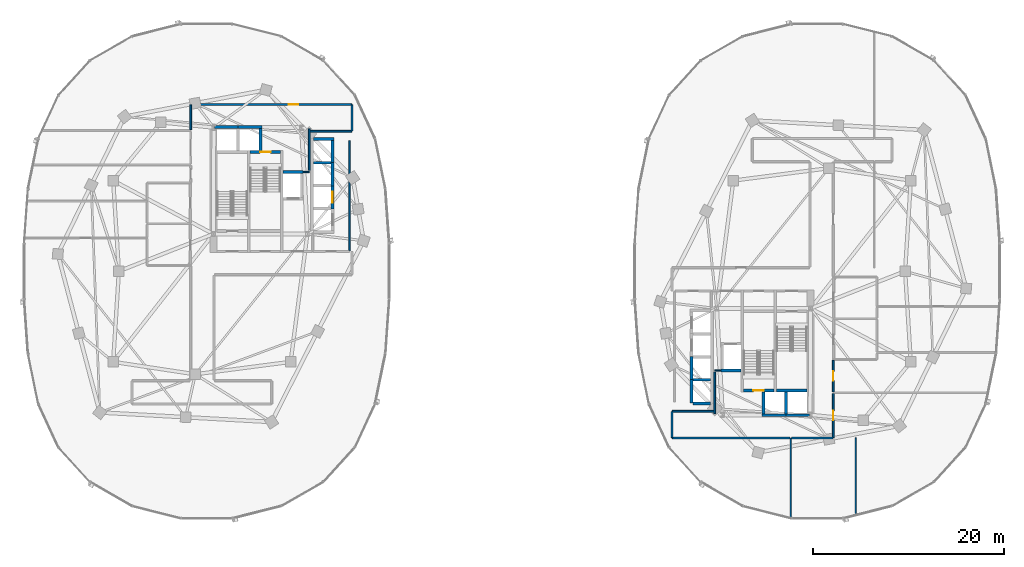
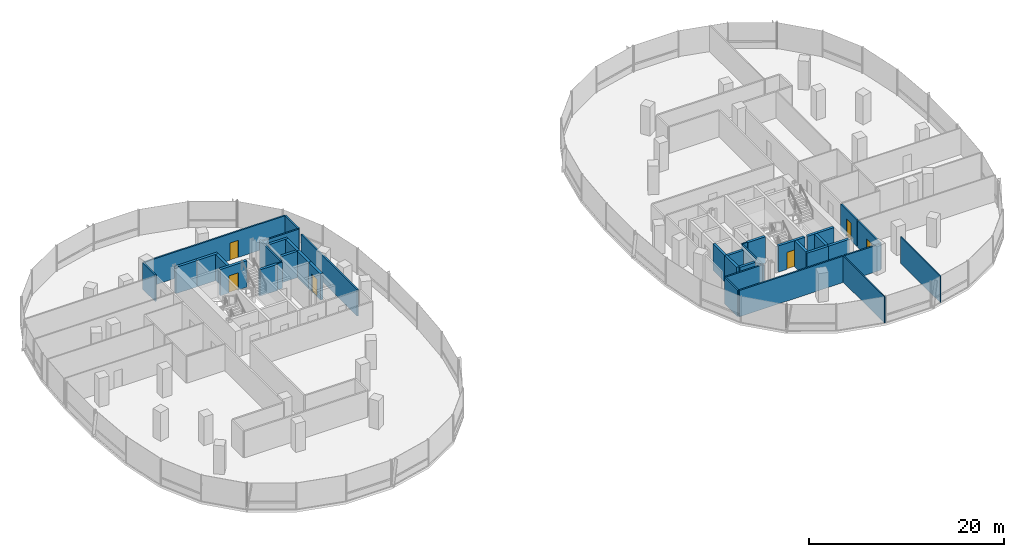
# One storey, part 12 of 21: 38 walls, 6 doors, 6 openings.
"""IFC4 building model written with IfcOpenShell, lengths in metres."""

from ifc_helpers import new_model, si_unit, direction, frame, frame_2d, origin, place, context, subcontext, project, spatial, rectangle, extrude, material, layer, layer_set, type_object, element, fill, save


model = new_model("IFC4")

# Units and contexts
model_context = context("Model", 3, precision=1e-05, world=origin(), true_north=direction((0.0, 1.0)))
body_context = subcontext(model_context, "Body", "Model", "MODEL_VIEW")
ifc_project = project(units=[si_unit("LENGTHUNIT", "METRE"), si_unit("AREAUNIT", "SQUARE_METRE"), si_unit("VOLUMEUNIT", "CUBIC_METRE"), si_unit("PLANEANGLEUNIT", "RADIAN"), si_unit("MASSUNIT", "GRAM", prefix="KILO"), si_unit("THERMODYNAMICTEMPERATUREUNIT", "KELVIN"), si_unit("POWERUNIT", "WATT")], contexts=[model_context])

# Site, building, storey
site_placement = place(None, origin())
site = spatial("IfcSite", under=ifc_project, at=site_placement, CompositionType="ELEMENT")
building_placement = place(site_placement, origin())
building = spatial("IfcBuilding", under=site, at=building_placement, Name="Cundina Bronze Exchange", CompositionType="ELEMENT")
storey_placement = place(building_placement, frame((0.0, 0.0, 85.39990234375)))
storey = spatial("IfcBuildingStorey", under=building, at=storey_placement, Name="L21", CompositionType="ELEMENT", Elevation=85.39990234375)

# Walls
ifc_material_1 = material(Name="Gypsum Fireboard Partition EI120")
ifc_layer_1 = layer(ifc_material_1, 0.179931640625, Name="Gypsum Fireboard Partition EI120")
ifc_layer_set_1 = layer_set([ifc_layer_1], Name="Gypsum Fireboard Partition EI120")
wall_type_1 = type_object("IfcWallType", Name="WL-COR-180", PredefinedType="PARTITIONING", material=ifc_layer_set_1)
wall_1_placement = place(storey_placement, frame((-17.02001953125, 2.169921875, 0.0), z_axis=(0.0, 0.0, 1.0), x_axis=(0.0, 1.0, 0.0)))
element("IfcWall", 1, at=wall_1_placement, inside=storey, type_object=wall_type_1, Name="L21 Interior Partition 001", PredefinedType="PARTITIONING", context=body_context, shape_type="SweptSolid", body=[
    extrude(rectangle(XDim=11.510009765625, YDim=0.179931640625, at=frame_2d((5.7548828125, 0.0))), origin(), (0.0, 0.0, 1.0), 3.300048828125),
])
wall_2_placement = place(storey_placement, frame((-21.25, 10.570068359375, 0.0), z_axis=(0.0, 0.0, 1.0), x_axis=(0.0, 1.0, 0.0)))
element("IfcWall", 2, at=wall_2_placement, inside=storey, type_object=wall_type_1, Name="L21 Interior Partition 004", PredefinedType="PARTITIONING", context=body_context, shape_type="SweptSolid", body=[
    extrude(rectangle(XDim=4.35986328125, YDim=0.179931640625, at=frame_2d((2.179931640625, 0.0))), origin(), (0.0, 0.0, 1.0), 3.300048828125),
])

# Wall, opening, door
wall_3_placement = place(storey_placement, frame((-16.821533203125, 17.469970703125, 0.0), z_axis=(0.0, 0.0, 1.0), x_axis=(-1.0, 0.0, 0.0)))
wall_3 = element("IfcWall", 3, at=wall_3_placement, inside=storey, type_object=wall_type_1, Name="L21 Interior Partition 018", PredefinedType="PARTITIONING", context=body_context, shape_type="SweptSolid", body=[
    extrude(rectangle(XDim=16.806884765625, YDim=0.179931640625, at=frame_2d((8.4033203125, 0.0))), origin(), (0.0, 0.0, 1.0), 3.300048828125),
])
opening_1_placement = place(wall_3_placement, frame((5.568603515625, 0.0, 0.0)))
opening_1 = element("IfcOpeningElement", 4, at=opening_1_placement, cuts=wall_3, Name="Opening DO-01", PredefinedType="OPENING", context=body_context, shape_type="SweptSolid", body=[
    extrude(rectangle(XDim=1.0, YDim=2.14990234375, at=frame_2d((0.5, 1.074951171875))), frame((0.0, 0.099853515625, 0.0), z_axis=(0.0, -1.0, 0.0), x_axis=(1.0, 0.0, 0.0)), (0.0, 0.0, 1.0), 0.199951171875),
])
ifc_material_2 = material(Name="Solid Andean Oak Timber Grade A", Category="wood")
door_type_1 = type_object("IfcDoorType", Name="DR-OFF-1000", OperationType="NOTDEFINED", PredefinedType="DOOR", material=ifc_material_2)
door_1_placement = place(opening_1_placement, origin())
door_1 = element("IfcDoor", 5, at=door_1_placement, inside=storey, type_object=door_type_1, Name="L21 Interior Door 018", OperationType="SINGLE_SWING_RIGHT", OverallHeight=2.14990234375, OverallWidth=1.0, PredefinedType="DOOR", context=body_context, shape_type="SweptSolid", body=[
    extrude(rectangle(XDim=1.0, YDim=2.14990234375, at=frame_2d((0.5, 1.074951171875))), frame((0.0, 0.02490234375, 0.0), z_axis=(0.0, -1.0, 0.0), x_axis=(1.0, 0.0, 0.0)), (0.0, 0.0, 1.0), 0.050048828125),
])
fill(opening_1, door_1)

# Walls
wall_4_placement = place(storey_placement, frame((-21.178466796875, 14.679931640625, 0.0), z_axis=(0.0, 0.0, 1.0), x_axis=(1.0, 0.0, 0.0)))
element("IfcWall", 6, at=wall_4_placement, inside=storey, type_object=wall_type_1, Name="L21 Interior Partition 025", PredefinedType="PARTITIONING", context=body_context, shape_type="SweptSolid", body=[
    extrude(rectangle(XDim=4.35693359375, YDim=0.179931640625, at=frame_2d((2.178466796875, 0.0))), origin(), (0.0, 0.0, 1.0), 3.300048828125),
])
wall_5_placement = place(storey_placement, frame((-16.780029296875, 14.721435546875, 0.0), z_axis=(0.0, 0.0, 1.0), x_axis=(0.0, 1.0, 0.0)))
element("IfcWall", 7, at=wall_5_placement, inside=storey, type_object=wall_type_1, Name="L21 Interior Partition 026", PredefinedType="PARTITIONING", context=body_context, shape_type="SweptSolid", body=[
    extrude(rectangle(XDim=2.70703125, YDim=0.179931640625, at=frame_2d((1.353515625, 0.0))), origin(), (0.0, 0.0, 1.0), 3.300048828125),
])
wall_6_placement = place(storey_placement, frame((-33.669921875, 17.428466796875, 0.0), z_axis=(0.0, 0.0, 1.0), x_axis=(0.0, -1.0, 0.0)))
element("IfcWall", 8, at=wall_6_placement, inside=storey, type_object=wall_type_1, Name="L21 Interior Partition 027", PredefinedType="PARTITIONING", context=body_context, shape_type="SweptSolid", body=[
    extrude(rectangle(XDim=2.598388671875, YDim=0.179931640625, at=frame_2d((1.29931640625, 0.0))), origin(), (0.0, 0.0, 1.0), 3.300048828125),
])
wall_7_placement = place(storey_placement, frame((21.25, -14.929931640625, 0.0), z_axis=(0.0, 0.0, 1.0), x_axis=(0.0, 1.0, 0.0)))
element("IfcWall", 9, at=wall_7_placement, inside=storey, type_object=wall_type_1, Name="L21 Interior Partition 037", PredefinedType="PARTITIONING", context=body_context, shape_type="SweptSolid", body=[
    extrude(rectangle(XDim=4.35986328125, YDim=0.179931640625, at=frame_2d((2.179931640625, 0.0))), origin(), (0.0, 0.0, 1.0), 3.300048828125),
])

# Wall, opening, door
wall_8_placement = place(storey_placement, frame((33.669921875, -17.428466796875, 0.0), z_axis=(0.0, 0.0, 1.0), x_axis=(0.0, 1.0, 0.0)))
wall_8 = element("IfcWall", 10, at=wall_8_placement, inside=storey, type_object=wall_type_1, Name="L21 Interior Partition 054", PredefinedType="PARTITIONING", context=body_context, shape_type="SweptSolid", body=[
    extrude(rectangle(XDim=4.598388671875, YDim=0.179931640625, at=frame_2d((2.29931640625, 0.0))), origin(), (0.0, 0.0, 1.0), 3.300048828125),
])
opening_2_placement = place(wall_8_placement, frame((1.79931640625, 0.0, 0.0)))
opening_2 = element("IfcOpeningElement", 11, at=opening_2_placement, cuts=wall_8, Name="Opening DO-01", PredefinedType="OPENING", context=body_context, shape_type="SweptSolid", body=[
    extrude(rectangle(XDim=1.0, YDim=2.14990234375, at=frame_2d((0.5, 1.074951171875))), frame((0.0, 0.099853515625, 0.0), z_axis=(0.0, -1.0, 0.0), x_axis=(1.0, 0.0, 0.0)), (0.0, 0.0, 1.0), 0.199951171875),
])
door_2_placement = place(opening_2_placement, origin())
door_2 = element("IfcDoor", 12, at=door_2_placement, inside=storey, type_object=door_type_1, Name="L21 Interior Door 054", OperationType="SINGLE_SWING_LEFT", OverallHeight=2.14990234375, OverallWidth=1.0, PredefinedType="DOOR", context=body_context, shape_type="SweptSolid", body=[
    extrude(rectangle(XDim=1.0, YDim=2.14990234375, at=frame_2d((0.5, 1.074951171875))), frame((0.0, 0.02490234375, 0.0), z_axis=(0.0, -1.0, 0.0), x_axis=(1.0, 0.0, 0.0)), (0.0, 0.0, 1.0), 0.050048828125),
])
fill(opening_2, door_2)

# Wall
wall_9_placement = place(storey_placement, frame((29.31005859375, -17.469970703125, 0.0), z_axis=(0.0, 0.0, 1.0), x_axis=(1.0, 0.0, 0.0)))
element("IfcWall", 13, at=wall_9_placement, inside=storey, type_object=wall_type_1, Name="L21 Interior Partition 055", PredefinedType="PARTITIONING", context=body_context, shape_type="SweptSolid", body=[
    extrude(rectangle(XDim=4.318359375, YDim=0.179931640625, at=frame_2d((2.1591796875, 0.0))), origin(), (0.0, 0.0, 1.0), 3.300048828125),
])

# Wall, opening, door
wall_10_placement = place(storey_placement, frame((33.669921875, -12.64990234375, 0.0), z_axis=(0.0, 0.0, 1.0), x_axis=(0.0, 1.0, 0.0)))
wall_10 = element("IfcWall", 14, at=wall_10_placement, inside=storey, type_object=wall_type_1, Name="L21 Interior Partition 056", PredefinedType="PARTITIONING", context=body_context, shape_type="SweptSolid", body=[
    extrude(rectangle(XDim=3.298583984375, YDim=0.179931640625, at=frame_2d((1.6494140625, 0.0))), origin(), (0.0, 0.0, 1.0), 3.300048828125),
])
opening_3_placement = place(wall_10_placement, frame((1.1494140625, 0.0, 0.0)))
opening_3 = element("IfcOpeningElement", 15, at=opening_3_placement, cuts=wall_10, Name="Opening DO-01", PredefinedType="OPENING", context=body_context, shape_type="SweptSolid", body=[
    extrude(rectangle(XDim=1.0, YDim=2.14990234375, at=frame_2d((0.5, 1.074951171875))), frame((0.0, 0.099853515625, 0.0), z_axis=(0.0, -1.0, 0.0), x_axis=(1.0, 0.0, 0.0)), (0.0, 0.0, 1.0), 0.199951171875),
])
door_3_placement = place(opening_3_placement, origin())
door_3 = element("IfcDoor", 16, at=door_3_placement, inside=storey, type_object=door_type_1, Name="L21 Interior Door 056", OperationType="SINGLE_SWING_LEFT", OverallHeight=2.14990234375, OverallWidth=1.0, PredefinedType="DOOR", context=body_context, shape_type="SweptSolid", body=[
    extrude(rectangle(XDim=1.0, YDim=2.14990234375, at=frame_2d((0.5, 1.074951171875))), frame((0.0, 0.02490234375, 0.0), z_axis=(0.0, -1.0, 0.0), x_axis=(1.0, 0.0, 0.0)), (0.0, 0.0, 1.0), 0.050048828125),
])
fill(opening_3, door_3)

# Walls
wall_11_placement = place(storey_placement, frame((16.821533203125, -17.469970703125, 0.0), z_axis=(0.0, 0.0, 1.0), x_axis=(1.0, 0.0, 0.0)))
element("IfcWall", 17, at=wall_11_placement, inside=storey, type_object=wall_type_1, Name="L21 Interior Partition 059", PredefinedType="PARTITIONING", context=body_context, shape_type="SweptSolid", body=[
    extrude(rectangle(XDim=12.308349609375, YDim=0.179931640625, at=frame_2d((6.154296875, 0.0))), origin(), (0.0, 0.0, 1.0), 3.300048828125),
])
wall_12_placement = place(storey_placement, frame((21.178466796875, -14.679931640625, 0.0), z_axis=(0.0, 0.0, 1.0), x_axis=(-1.0, 0.0, 0.0)))
element("IfcWall", 18, at=wall_12_placement, inside=storey, type_object=wall_type_1, Name="L21 Interior Partition 062", PredefinedType="PARTITIONING", context=body_context, shape_type="SweptSolid", body=[
    extrude(rectangle(XDim=4.35693359375, YDim=0.179931640625, at=frame_2d((2.178466796875, 0.0))), origin(), (0.0, 0.0, 1.0), 3.300048828125),
])
wall_13_placement = place(storey_placement, frame((16.780029296875, -14.721435546875, 0.0), z_axis=(0.0, 0.0, 1.0), x_axis=(0.0, -1.0, 0.0)))
element("IfcWall", 19, at=wall_13_placement, inside=storey, type_object=wall_type_1, Name="L21 Interior Partition 063", PredefinedType="PARTITIONING", context=body_context, shape_type="SweptSolid", body=[
    extrude(rectangle(XDim=2.70703125, YDim=0.179931640625, at=frame_2d((1.353515625, 0.0))), origin(), (0.0, 0.0, 1.0), 3.300048828125),
])
ifc_material_3 = material(Name="Gypsum Acoustic Partition EI60")
ifc_layer_2 = layer(ifc_material_3, 0.125, Name="Gypsum Acoustic Partition EI60")
ifc_layer_set_2 = layer_set([ifc_layer_2], Name="Gypsum Acoustic Partition EI60")
wall_type_2 = type_object("IfcWallType", Name="WL-OFF-125", PredefinedType="PARTITIONING", material=ifc_layer_set_2)
wall_14_placement = place(storey_placement, frame((29.219970703125, -25.965576171875, 0.0), z_axis=(0.0, 0.0, 1.0), x_axis=(0.0, 1.0, 0.0)))
element("IfcWall", 20, at=wall_14_placement, inside=storey, type_object=wall_type_2, Name="L21 Interior Partition 052", PredefinedType="PARTITIONING", context=body_context, shape_type="SweptSolid", body=[
    extrude(rectangle(XDim=8.465576171875, YDim=0.125, at=frame_2d((4.23291015625, 0.0))), origin(), (0.0, 0.0, 1.0), 3.300048828125),
])
wall_15_placement = place(storey_placement, frame((36.02001953125, -25.652099609375, 0.0), z_axis=(0.0, 0.0, 1.0), x_axis=(0.0, 1.0, 0.0)))
element("IfcWall", 21, at=wall_15_placement, inside=storey, type_object=wall_type_2, Name="L21 Interior Partition 053", PredefinedType="PARTITIONING", context=body_context, shape_type="SweptSolid", body=[
    extrude(rectangle(XDim=8.18212890625, YDim=0.125, at=frame_2d((4.091064453125, 0.0))), origin(), (0.0, 0.0, 1.0), 3.300048828125),
])

# Wall, opening, door
ifc_material_4 = material(Name="Concrete C50/60", Category="concrete")
ifc_layer_3 = layer(ifc_material_4, 0.300048828125, Name="Concrete C50/60", Category="concrete")
ifc_layer_set_3 = layer_set([ifc_layer_3], Name="Concrete C50/60")
wall_type_3 = type_object("IfcWallType", Name="WL-SHFT-300", PredefinedType="SHEAR", material=ifc_layer_set_3)
wall_16_placement = place(storey_placement, frame((-27.43994140625, 12.5, 0.0), z_axis=(0.0, 0.0, 1.0), x_axis=(1.0, 0.0, 0.0)))
wall_16 = element("IfcWall", 22, at=wall_16_placement, inside=storey, type_object=wall_type_3, Name="L21 Stair W2 Landing Wall", PredefinedType="SHEAR", context=body_context, shape_type="SweptSolid", body=[
    extrude(rectangle(XDim=3.159912109375, YDim=0.300048828125, at=frame_2d((1.580078125, 0.0))), origin(), (0.0, 0.0, 1.0), 3.300048828125),
])
opening_4_placement = place(wall_16_placement, frame((1.030029296875, 0.0, 0.0)))
opening_4 = element("IfcOpeningElement", 23, at=opening_4_placement, cuts=wall_16, Name="Opening DS-01", PredefinedType="OPENING", context=body_context, shape_type="SweptSolid", body=[
    extrude(rectangle(XDim=1.10009765625, YDim=2.14990234375, at=frame_2d((0.550048828125, 1.074951171875))), frame((0.0, 0.159912109375, 0.0), z_axis=(0.0, -1.0, 0.0), x_axis=(1.0, 0.0, 0.0)), (0.0, 0.0, 1.0), 0.320068359375),
])
ifc_material_5 = material(Name="Steel ASTM A36 Painted", Category="steel")
door_type_2 = type_object("IfcDoorType", Name="DR-STR-1100", OperationType="NOTDEFINED", PredefinedType="DOOR", material=ifc_material_5)
door_4_placement = place(opening_4_placement, origin())
door_4 = element("IfcDoor", 24, at=door_4_placement, inside=storey, type_object=door_type_2, Name="L21 Smokeproof Stair W2 Door", OperationType="SINGLE_SWING_LEFT", OverallHeight=2.14990234375, OverallWidth=1.10009765625, PredefinedType="DOOR", context=body_context, shape_type="SweptSolid", body=[
    extrude(rectangle(XDim=1.10009765625, YDim=2.14990234375, at=frame_2d((0.550048828125, 1.074951171875))), frame((0.0, 0.02490234375, 0.0), z_axis=(0.0, -1.0, 0.0), x_axis=(1.0, 0.0, 0.0)), (0.0, 0.0, 1.0), 0.050048828125),
])
fill(opening_4, door_4)

# Walls
wall_17_placement = place(storey_placement, frame((-23.97998046875, 10.39990234375, 0.0), z_axis=(0.0, 0.0, 1.0), x_axis=(1.0, 0.0, 0.0)))
element("IfcWall", 25, at=wall_17_placement, inside=storey, type_object=wall_type_3, Name="L21 FFL-W Hoistway Back Wall", PredefinedType="SHEAR", context=body_context, shape_type="SweptSolid", body=[
    extrude(rectangle(XDim=2.10009765625, YDim=0.300048828125, at=frame_2d((1.050048828125, 0.0))), origin(), (0.0, 0.0, 1.0), 3.300048828125),
])
for number, where, z_axis, x_axis, name in (
    (26, (-31.199951171875, 15.10009765625, 0.0), (0.0, 0.0, 1.0), (1.0, 0.0, 0.0), "L21 PH-W1 Hoistway Front Wall"),
    (27, (-28.699951171875, 15.10009765625, 0.0), (0.0, 0.0, 1.0), (1.0, 0.0, 0.0), "L21 PH-W2 Hoistway Front Wall"),
):
    element("IfcWall", number, at=place(storey_placement, frame(where, z_axis=z_axis, x_axis=x_axis)), inside=storey, type_object=wall_type_3, Name=name, PredefinedType="SHEAR", context=body_context, shape_type="SweptSolid", body=[
        extrude(rectangle(XDim=2.5, YDim=0.300048828125, at=frame_2d((1.25, 0.0))), origin(), (0.0, 0.0, 1.0), 3.300048828125),
    ])
wall_18_placement = place(storey_placement, frame((-26.35009765625, 12.64990234375, 0.0), z_axis=(0.0, 0.0, 1.0), x_axis=(0.0, 1.0, 0.0)))
element("IfcWall", 28, at=wall_18_placement, inside=storey, type_object=wall_type_3, Name="L21 PH-W2 Hoistway Divider Wall", PredefinedType="SHEAR", context=body_context, shape_type="SweptSolid", body=[
    extrude(rectangle(XDim=2.300048828125, YDim=0.300048828125, at=frame_2d((1.14990234375, 0.0))), origin(), (0.0, 0.0, 1.0), 3.300048828125),
])
wall_19_placement = place(storey_placement, frame((-20.800048828125, 13.85009765625, 0.0), z_axis=(0.0, 0.0, 1.0), x_axis=(1.0, 0.0, 0.0)))
element("IfcWall", 29, at=wall_19_placement, inside=storey, type_object=wall_type_3, Name="L21 W Passenger Bank North Cap Wall", PredefinedType="SHEAR", context=body_context, shape_type="SweptSolid", body=[
    extrude(rectangle(XDim=2.150146484375, YDim=0.300048828125, at=frame_2d((1.0751953125, 0.0))), origin(), (0.0, 0.0, 1.0), 3.300048828125),
])
wall_20_placement = place(storey_placement, frame((-20.800048828125, 11.375, 0.0), z_axis=(0.0, 0.0, 1.0), x_axis=(1.0, 0.0, 0.0)))
element("IfcWall", 30, at=wall_20_placement, inside=storey, type_object=wall_type_3, Name="L21 W Passenger Hoistway Divider 3", PredefinedType="SHEAR", context=body_context, shape_type="SweptSolid", body=[
    extrude(rectangle(XDim=1.85009765625, YDim=0.300048828125, at=frame_2d((0.925048828125, 0.0))), origin(), (0.0, 0.0, 1.0), 3.300048828125),
])

# Wall, opening, door
wall_21_placement = place(storey_placement, frame((-18.800048828125, 6.530029296875, 0.0), z_axis=(0.0, 0.0, 1.0), x_axis=(0.0, 1.0, 0.0)))
wall_21 = element("IfcWall", 31, at=wall_21_placement, inside=storey, type_object=wall_type_3, Name="L21 PL-W1 Hoistway Front Wall", PredefinedType="SHEAR", context=body_context, shape_type="SweptSolid", body=[
    extrude(rectangle(XDim=2.489990234375, YDim=0.300048828125, at=frame_2d((1.2451171875, 0.0))), origin(), (0.0, 0.0, 1.0), 3.300048828125),
])
opening_5_placement = place(wall_21_placement, frame((0.669921875, 0.0, 0.0)))
opening_5 = element("IfcOpeningElement", 32, at=opening_5_placement, cuts=wall_21, Name="Opening LD-01", PredefinedType="OPENING", context=body_context, shape_type="SweptSolid", body=[
    extrude(rectangle(XDim=1.14990234375, YDim=2.199951171875, at=frame_2d((0.574951171875, 1.10009765625))), frame((0.0, 0.159912109375, 0.0), z_axis=(0.0, -1.0, 0.0), x_axis=(1.0, 0.0, 0.0)), (0.0, 0.0, 1.0), 0.320068359375),
])
door_type_3 = type_object("IfcDoorType", Name="DR-LND-1150", OperationType="NOTDEFINED", PredefinedType="TRAPDOOR", material=ifc_material_5)
door_5_placement = place(opening_5_placement, origin())
door_5 = element("IfcDoor", 33, at=door_5_placement, inside=storey, type_object=door_type_3, Name="L21 PL-W1 Sliding Landing Door", OperationType="SLIDING_TO_LEFT", OverallHeight=2.199951171875, OverallWidth=1.14990234375, PredefinedType="TRAPDOOR", context=body_context, shape_type="SweptSolid", body=[
    extrude(rectangle(XDim=1.14990234375, YDim=2.199951171875, at=frame_2d((0.574951171875, 1.10009765625))), frame((0.0, 0.02490234375, 0.0), z_axis=(0.0, -1.0, 0.0), x_axis=(1.0, 0.0, 0.0)), (0.0, 0.0, 1.0), 0.050048828125),
])
fill(opening_5, door_5)

# Walls
for number, where, z_axis, x_axis, name in (
    (34, (-18.800048828125, 8.929931640625, 0.0), (0.0, 0.0, 1.0), (0.0, 1.0, 0.0), "L21 PM-W2 Hoistway Front Wall"),
    (35, (-18.800048828125, 11.330078125, 0.0), (0.0, 0.0, 1.0), (0.0, 1.0, 0.0), "L21 PM-W1 Hoistway Front Wall"),
):
    element("IfcWall", number, at=place(storey_placement, frame(where, z_axis=z_axis, x_axis=x_axis)), inside=storey, type_object=wall_type_3, Name=name, PredefinedType="SHEAR", context=body_context, shape_type="SweptSolid", body=[
        extrude(rectangle(XDim=2.489990234375, YDim=0.300048828125, at=frame_2d((1.2451171875, 0.0))), origin(), (0.0, 0.0, 1.0), 3.300048828125),
    ])
wall_22_placement = place(storey_placement, frame((27.739990234375, -12.5, 0.0), z_axis=(0.0, 0.0, 1.0), x_axis=(1.0, 0.0, 0.0)))
element("IfcWall", 36, at=wall_22_placement, inside=storey, type_object=wall_type_3, Name="L21 Stair E1 Far Shaft Wall", PredefinedType="SHEAR", context=body_context, shape_type="SweptSolid", body=[
    extrude(rectangle(XDim=3.159912109375, YDim=0.300048828125, at=frame_2d((1.580078125, 0.0))), origin(), (0.0, 0.0, 1.0), 3.300048828125),
])

# Wall, opening, door
wall_23_placement = place(storey_placement, frame((24.280029296875, -12.5, 0.0), z_axis=(0.0, 0.0, 1.0), x_axis=(1.0, 0.0, 0.0)))
wall_23 = element("IfcWall", 37, at=wall_23_placement, inside=storey, type_object=wall_type_3, Name="L21 Stair E2 Landing Wall", PredefinedType="SHEAR", context=body_context, shape_type="SweptSolid", body=[
    extrude(rectangle(XDim=3.159912109375, YDim=0.300048828125, at=frame_2d((1.580078125, 0.0))), origin(), (0.0, 0.0, 1.0), 3.300048828125),
])
opening_6_placement = place(wall_23_placement, frame((1.030029296875, 0.0, 0.0)))
opening_6 = element("IfcOpeningElement", 38, at=opening_6_placement, cuts=wall_23, Name="Opening DS-01", PredefinedType="OPENING", context=body_context, shape_type="SweptSolid", body=[
    extrude(rectangle(XDim=1.10009765625, YDim=2.14990234375, at=frame_2d((0.550048828125, 1.074951171875))), frame((0.0, 0.159912109375, 0.0), z_axis=(0.0, -1.0, 0.0), x_axis=(1.0, 0.0, 0.0)), (0.0, 0.0, 1.0), 0.320068359375),
])
door_6_placement = place(opening_6_placement, origin())
door_6 = element("IfcDoor", 39, at=door_6_placement, inside=storey, type_object=door_type_2, Name="L21 Smokeproof Stair E2 Door", OperationType="SINGLE_SWING_RIGHT", OverallHeight=2.14990234375, OverallWidth=1.10009765625, PredefinedType="DOOR", context=body_context, shape_type="SweptSolid", body=[
    extrude(rectangle(XDim=1.10009765625, YDim=2.14990234375, at=frame_2d((0.550048828125, 1.074951171875))), frame((0.0, 0.02490234375, 0.0), z_axis=(0.0, -1.0, 0.0), x_axis=(1.0, 0.0, 0.0)), (0.0, 0.0, 1.0), 0.050048828125),
])
fill(opening_6, door_6)

# Walls
wall_24_placement = place(storey_placement, frame((21.8798828125, -10.39990234375, 0.0), z_axis=(0.0, 0.0, 1.0), x_axis=(1.0, 0.0, 0.0)))
element("IfcWall", 40, at=wall_24_placement, inside=storey, type_object=wall_type_3, Name="L21 FFL-E Hoistway Back Wall", PredefinedType="SHEAR", context=body_context, shape_type="SweptSolid", body=[
    extrude(rectangle(XDim=2.10009765625, YDim=0.300048828125, at=frame_2d((1.050048828125, 0.0))), origin(), (0.0, 0.0, 1.0), 3.300048828125),
])
wall_25_placement = place(storey_placement, frame((28.699951171875, -15.10009765625, 0.0), z_axis=(0.0, 0.0, 1.0), x_axis=(1.0, 0.0, 0.0)))
element("IfcWall", 41, at=wall_25_placement, inside=storey, type_object=wall_type_3, Name="L21 PH-E1 Hoistway Front Wall", PredefinedType="SHEAR", context=body_context, shape_type="SweptSolid", body=[
    extrude(rectangle(XDim=2.5, YDim=0.300048828125, at=frame_2d((1.25, 0.0))), origin(), (0.0, 0.0, 1.0), 3.300048828125),
])
wall_26_placement = place(storey_placement, frame((28.699951171875, -14.949951171875, 0.0), z_axis=(0.0, 0.0, 1.0), x_axis=(0.0, 1.0, 0.0)))
element("IfcWall", 42, at=wall_26_placement, inside=storey, type_object=wall_type_3, Name="L21 PH-E1 Hoistway Divider Wall", PredefinedType="SHEAR", context=body_context, shape_type="SweptSolid", body=[
    extrude(rectangle(XDim=2.300048828125, YDim=0.300048828125, at=frame_2d((1.14990234375, 0.0))), origin(), (0.0, 0.0, 1.0), 3.300048828125),
])
wall_27_placement = place(storey_placement, frame((26.199951171875, -15.10009765625, 0.0), z_axis=(0.0, 0.0, 1.0), x_axis=(1.0, 0.0, 0.0)))
element("IfcWall", 43, at=wall_27_placement, inside=storey, type_object=wall_type_3, Name="L21 PH-E2 Hoistway Front Wall", PredefinedType="SHEAR", context=body_context, shape_type="SweptSolid", body=[
    extrude(rectangle(XDim=2.5, YDim=0.300048828125, at=frame_2d((1.25, 0.0))), origin(), (0.0, 0.0, 1.0), 3.300048828125),
])
wall_28_placement = place(storey_placement, frame((26.35009765625, -14.949951171875, 0.0), z_axis=(0.0, 0.0, 1.0), x_axis=(0.0, 1.0, 0.0)))
element("IfcWall", 44, at=wall_28_placement, inside=storey, type_object=wall_type_3, Name="L21 PH-E2 Hoistway Divider Wall", PredefinedType="SHEAR", context=body_context, shape_type="SweptSolid", body=[
    extrude(rectangle(XDim=2.300048828125, YDim=0.300048828125, at=frame_2d((1.14990234375, 0.0))), origin(), (0.0, 0.0, 1.0), 3.300048828125),
])
for number, where, z_axis, x_axis, name in (
    (45, (18.949951171875, -13.85009765625, 0.0), (0.0, 0.0, 1.0), (1.0, 0.0, 0.0), "L21 E Passenger Bank South Cap Wall"),
    (46, (18.949951171875, -11.375, 0.0), (0.0, 0.0, 1.0), (1.0, 0.0, 0.0), "L21 E Passenger Hoistway Divider 1"),
):
    element("IfcWall", number, at=place(storey_placement, frame(where, z_axis=z_axis, x_axis=x_axis)), inside=storey, type_object=wall_type_3, Name=name, PredefinedType="SHEAR", context=body_context, shape_type="SweptSolid", body=[
        extrude(rectangle(XDim=1.85009765625, YDim=0.300048828125, at=frame_2d((0.925048828125, 0.0))), origin(), (0.0, 0.0, 1.0), 3.300048828125),
    ])
for number, where, z_axis, x_axis, name in (
    (47, (18.800048828125, -13.820068359375, 0.0), (0.0, 0.0, 1.0), (0.0, 1.0, 0.0), "L21 PM-E1 Hoistway Front Wall"),
    (48, (18.800048828125, -11.419921875, 0.0), (0.0, 0.0, 1.0), (0.0, 1.0, 0.0), "L21 PM-E2 Hoistway Front Wall"),
):
    element("IfcWall", number, at=place(storey_placement, frame(where, z_axis=z_axis, x_axis=x_axis)), inside=storey, type_object=wall_type_3, Name=name, PredefinedType="SHEAR", context=body_context, shape_type="SweptSolid", body=[
        extrude(rectangle(XDim=2.489990234375, YDim=0.300048828125, at=frame_2d((1.2451171875, 0.0))), origin(), (0.0, 0.0, 1.0), 3.300048828125),
    ])
ifc_material_6 = material(Name="Moisture-Resistant Masonry Block Grade M15", Category="masonry")
ifc_layer_4 = layer(ifc_material_6, 0.139892578125, Name="Moisture-Resistant Masonry Block Grade M15", Category="masonry")
ifc_layer_set_4 = layer_set([ifc_layer_4], Name="Moisture-Resistant Masonry Block Grade M15")
wall_type_4 = type_object("IfcWallType", Name="WL-WET-140", PredefinedType="PARTITIONING", material=ifc_layer_set_4)
for number, where, z_axis, x_axis, name in (
    (49, (-21.860107421875, 10.39990234375, 0.0), (0.0, 0.0, 1.0), (1.0, 0.0, 0.0), "L21 Interior Partition 003"),
    (50, (21.27001953125, -10.39990234375, 0.0), (0.0, 0.0, 1.0), (1.0, 0.0, 0.0), "L21 Interior Partition 036"),
):
    element("IfcWall", number, at=place(storey_placement, frame(where, z_axis=z_axis, x_axis=x_axis)), inside=storey, type_object=wall_type_4, Name=name, PredefinedType="PARTITIONING", context=body_context, shape_type="SweptSolid", body=[
        extrude(rectangle(XDim=0.590087890625, YDim=0.139892578125, at=frame_2d((0.294921875, 0.0))), origin(), (0.0, 0.0, 1.0), 3.300048828125),
    ])

save(model, "model.ifc")
